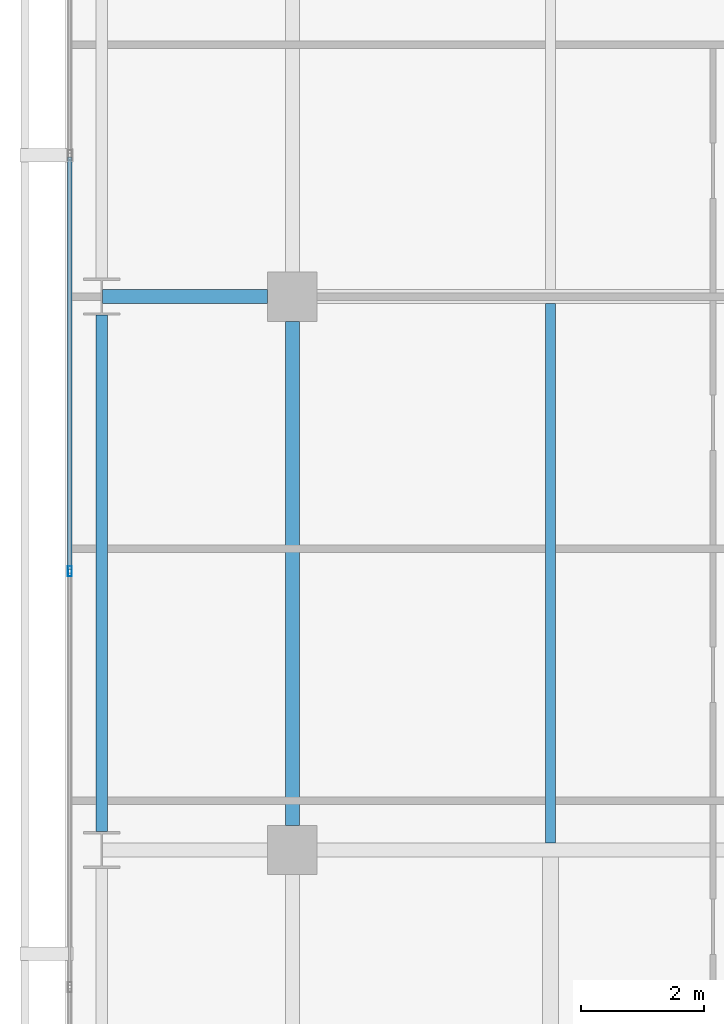
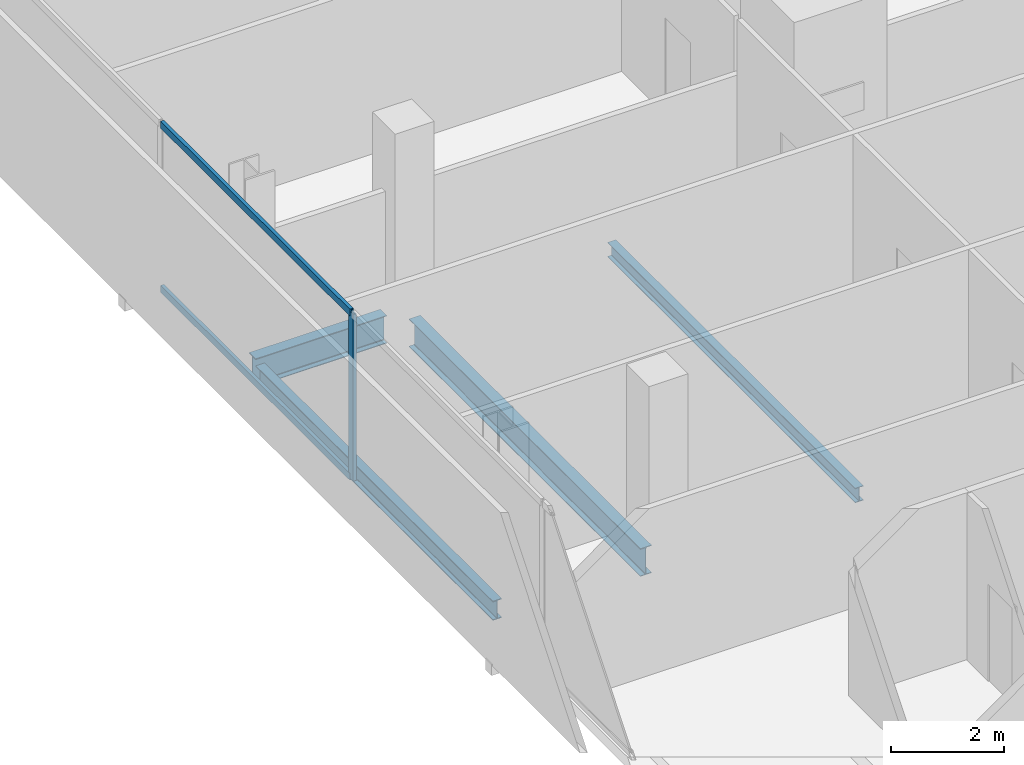
# One storey, part 8 of 34: 4 beams, 3 members, 1 element without a shape of its own.
"""IFC4 building model written with IfcOpenShell, lengths in metres."""

from ifc_helpers import new_model, si_unit, direction, frame, origin, origin_2d, place, context, subcontext, project, spatial, hollow_rectangle, i_section, extrude, material, layer, layer_set, material_profile, profile_set, type_object, element, aggregate, save


model = new_model("IFC4")

# Units and contexts
model_context = context("Model", 3, precision=1e-05, world=origin(), true_north=direction((0.0, 1.0)))
body_context = subcontext(model_context, "Body", "Model", "MODEL_VIEW")
ifc_project = project(units=[si_unit("LENGTHUNIT", "METRE"), si_unit("AREAUNIT", "SQUARE_METRE"), si_unit("VOLUMEUNIT", "CUBIC_METRE"), si_unit("PLANEANGLEUNIT", "RADIAN"), si_unit("MASSUNIT", "GRAM", prefix="KILO")], contexts=[model_context])

# Site, building, storey
site_placement = place(None, origin())
site = spatial("IfcSite", under=ifc_project, at=site_placement, CompositionType="ELEMENT")
building_placement = place(site_placement, origin())
building = spatial("IfcBuilding", under=site, at=building_placement, Name="Maruvema Waterfront Hotel and Observation Tower", CompositionType="ELEMENT")
storey_placement = place(building_placement, frame((0.0, 0.0, 173.60009765625)))
storey = spatial("IfcBuildingStorey", under=building, at=storey_placement, Name="L42", CompositionType="ELEMENT", Elevation=173.60009765625)

# Curtain wall, members
ifc_material_1 = material(Name="Anodised bronze aluminium and solar-control low-E IGU", Category="aluminium")
ifc_layer = layer(ifc_material_1, 0.159912109375, Name="Zone 2 Amber Inner Thermal Curtain Wall System CW-03")
ifc_layer_set = layer_set([ifc_layer], Name="Anodised bronze aluminium and solar-control low-E IGU")
curtain_wall_type = type_object("IfcCurtainWallType", Name="Zone 2 Amber Inner Thermal Curtain Wall System CW-03", PredefinedType="USERDEFINED", material=ifc_layer_set)
curtain_wall_placement = place(storey_placement, origin())
curtain_wall = element("IfcCurtainWall", 1, at=curtain_wall_placement, inside=storey, type_object=curtain_wall_type, Name="L42 Curtain Wall CW-L42-W", ObjectType="UNITISED CURTAIN WALL", PredefinedType="USERDEFINED")
ifc_material_2 = material(Name="Anodised architectural bronze aluminium", Category="aluminium")
ifc_material_profile_1 = material_profile(ifc_material_2, hollow_rectangle(XDim=0.070068359375, YDim=0.14990234375, WallThickness=0.00390625, at=origin_2d()), Name="ALU-T70x150")
ifc_profile_set_1 = profile_set([ifc_material_profile_1], Name="Anodised architectural bronze aluminium")
member_type_1 = type_object("IfcMemberType", Name="Curtain Wall Horizontal Transom ALU-T70x150", PredefinedType="USERDEFINED", material=ifc_profile_set_1)
member_1_placement = place(storey_placement, frame((13.179931640625, 29.27001953125, 0.02978515625), z_axis=(0.0, -1.0, 0.0), x_axis=(1.0, 0.0, 0.0)))
member_1 = element("IfcMember", 2, at=member_1_placement, type_object=member_type_1, Name="CW-03 transom 4.1", ObjectType="TRANSOM", PredefinedType="USERDEFINED", context=body_context, shape_type="SweptSolid", body=[
    extrude(hollow_rectangle(XDim=0.070068359375, YDim=0.14990234375, WallThickness=0.00390625, at=origin_2d()), origin(), (0.0, 0.0, 1.0), 6.706787109375),
])
member_2_placement = place(storey_placement, frame((13.179931640625, 29.27001953125, 3.579833984375), z_axis=(0.0, -1.0, 0.0), x_axis=(1.0, 0.0, 0.0)))
member_2 = element("IfcMember", 3, at=member_2_placement, type_object=member_type_1, Name="CW-03 transom 4.2", ObjectType="TRANSOM", PredefinedType="USERDEFINED", context=body_context, shape_type="SweptSolid", body=[
    extrude(hollow_rectangle(XDim=0.070068359375, YDim=0.14990234375, WallThickness=0.00390625, at=origin_2d()), origin(), (0.0, 0.0, 1.0), 6.706787109375),
])
ifc_material_3 = material(Name="Anodised architectural bronze aluminium", Category="aluminium")
ifc_material_profile_2 = material_profile(ifc_material_3, hollow_rectangle(XDim=0.06494140625, YDim=0.1650390625, WallThickness=0.00390625, at=origin_2d()), Name="ALU-M65x165")
ifc_profile_set_2 = profile_set([ifc_material_profile_2], Name="Anodised architectural bronze aluminium")
member_type_2 = type_object("IfcMemberType", Name="Curtain Wall Primary Mullion ALU-M65x165", PredefinedType="MULLION", material=ifc_profile_set_2)
member_3_placement = place(storey_placement, frame((13.179931640625, 22.533447265625, 0.0), z_axis=(0.0, 0.0, 1.0), x_axis=(1.0, 0.0, 0.0)))
member_3 = element("IfcMember", 4, at=member_3_placement, type_object=member_type_2, Name="CW-03 mullion 5", PredefinedType="MULLION", context=body_context, shape_type="SweptSolid", body=[
    extrude(hollow_rectangle(XDim=0.06494140625, YDim=0.1650390625, WallThickness=0.00390625, at=origin_2d()), origin(), (0.0, 0.0, 1.0), 3.60986328125),
])
aggregate(curtain_wall, [member_3, member_1, member_2])

# Beams
ifc_material_4 = material(Name="Steel ASTM A572 Grade 50", Category="steel")
ifc_material_profile_3 = material_profile(ifc_material_4, i_section(OverallWidth=0.180908203125, OverallDepth=0.4169921875, WebThickness=0.010986328125, FlangeThickness=0.018310546875, FilletRadius=0.014892578125, at=origin_2d()), Name="W410x85.0")
ifc_profile_set_3 = profile_set([ifc_material_profile_3], Name="Steel ASTM A572 Grade 50")
beam_type_1 = type_object("IfcBeamType", Name="Perimeter Spandrel Beam W410x85.0", PredefinedType="SPANDREL", material=ifc_profile_set_3)
beam_1_placement = place(storey_placement, frame((13.699951171875, 18.300048828125, -0.448486328125), z_axis=(0.0, 1.0, 0.0), x_axis=(-1.0, 0.0, 0.0)))
element("IfcBeam", 5, at=beam_1_placement, inside=storey, type_object=beam_type_1, Name="L42 Floor Girder NS-02", PredefinedType="SPANDREL", context=body_context, shape_type="SweptSolid", body=[
    extrude(i_section(OverallWidth=0.180908203125, OverallDepth=0.4169921875, WebThickness=0.010986328125, FlangeThickness=0.018310546875, FilletRadius=0.014892578125, at=origin_2d()), origin(), (0.0, 0.0, 1.0), 8.39990234375),
])
ifc_material_5 = material(Name="Steel ASTM A572 Grade 50", Category="steel")
ifc_material_profile_4 = material_profile(ifc_material_5, i_section(OverallWidth=0.22802734375, OverallDepth=0.60302734375, WebThickness=0.010498046875, FlangeThickness=0.014892578125, FilletRadius=0.01806640625, at=origin_2d()), Name="W610x101.0")
ifc_profile_set_4 = profile_set([ifc_material_profile_4], Name="Steel ASTM A572 Grade 50")
beam_type_2 = type_object("IfcBeamType", Name="Primary Floor Girder W610x101.0", PredefinedType="BEAM", material=ifc_profile_set_4)
beam_2_placement = place(storey_placement, frame((13.71240234375, 27.0, -0.54150390625), z_axis=(1.0, 0.0, 0.0), x_axis=(0.0, 1.0, 0.0)))
element("IfcBeam", 6, at=beam_2_placement, inside=storey, type_object=beam_type_2, Name="L42 Floor Girder EW-18", PredefinedType="BEAM", context=body_context, shape_type="SweptSolid", body=[
    extrude(i_section(OverallWidth=0.22802734375, OverallDepth=0.60302734375, WebThickness=0.010498046875, FlangeThickness=0.014892578125, FilletRadius=0.01806640625, at=origin_2d()), origin(), (0.0, 0.0, 1.0), 2.6875),
])
beam_3_placement = place(storey_placement, frame((16.800048828125, 18.39990234375, -0.54150390625), z_axis=(0.0, 1.0, 0.0), x_axis=(-1.0, 0.0, 0.0)))
element("IfcBeam", 7, at=beam_3_placement, inside=storey, type_object=beam_type_2, Name="L42 Floor Girder NS-06", PredefinedType="BEAM", context=body_context, shape_type="SweptSolid", body=[
    extrude(i_section(OverallWidth=0.22802734375, OverallDepth=0.60302734375, WebThickness=0.010498046875, FlangeThickness=0.014892578125, FilletRadius=0.01806640625, at=origin_2d()), origin(), (0.0, 0.0, 1.0), 8.2001953125),
])
ifc_material_6 = material(Name="Steel ASTM A572 Grade 50", Category="steel")
ifc_material_profile_5 = material_profile(ifc_material_6, i_section(OverallWidth=0.1669921875, OverallDepth=0.31689453125, WebThickness=0.007568359375, FlangeThickness=0.01318359375, FilletRadius=0.012939453125, at=origin_2d()), Name="W310x52.0")
ifc_profile_set_5 = profile_set([ifc_material_profile_5], Name="Steel ASTM A572 Grade 50")
beam_type_3 = type_object("IfcBeamType", Name="Secondary Floor Joist W310x52.0", PredefinedType="JOIST", material=ifc_profile_set_5)
beam_4_placement = place(storey_placement, frame((21.0, 18.114013671875, -0.398681640625), z_axis=(0.0, 1.0, 0.0), x_axis=(-1.0, 0.0, 0.0)))
element("IfcBeam", 8, at=beam_4_placement, inside=storey, type_object=beam_type_3, Name="L42 Secondary Floor Joist JS-02", PredefinedType="JOIST", context=body_context, shape_type="SweptSolid", body=[
    extrude(i_section(OverallWidth=0.1669921875, OverallDepth=0.31689453125, WebThickness=0.007568359375, FlangeThickness=0.01318359375, FilletRadius=0.012939453125, at=origin_2d()), origin(), (0.0, 0.0, 1.0), 8.77197265625),
])

save(model, "model.ifc")
